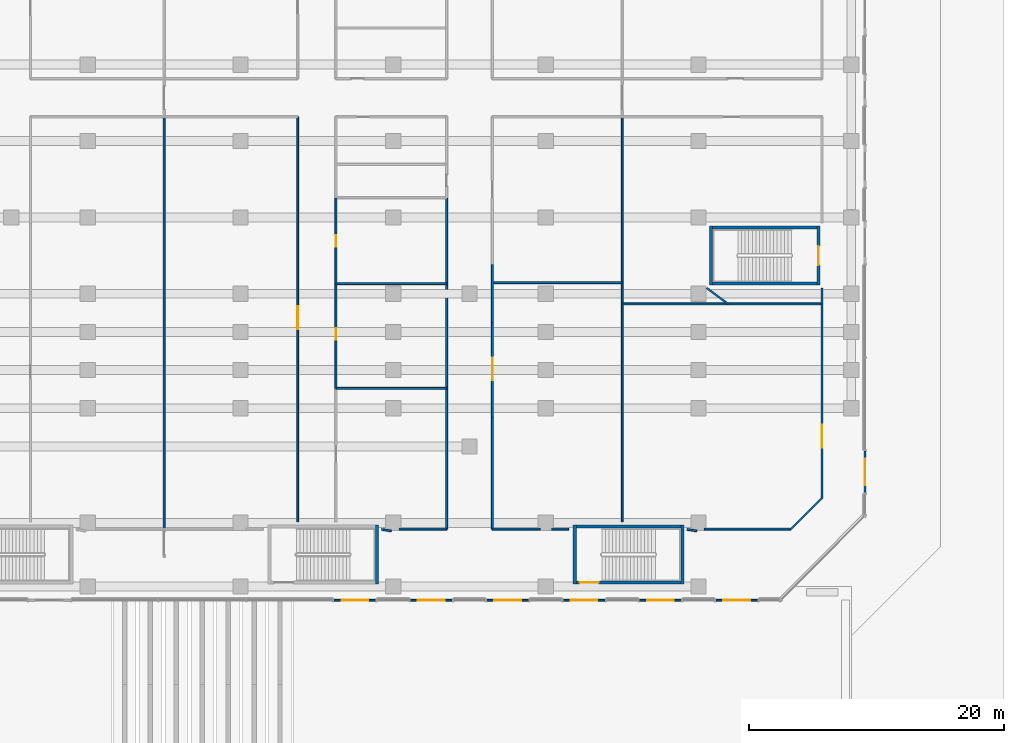
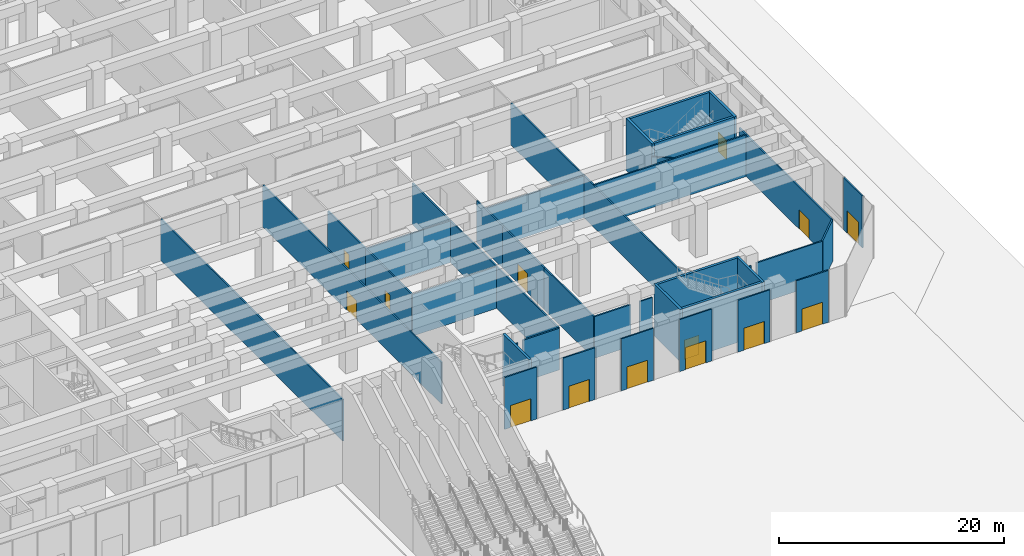
# One storey, part 19 of 32: 39 walls, 14 doors, 14 openings.
"""IFC4 building model written with IfcOpenShell, lengths in metres."""

from ifc_helpers import new_model, si_unit, direction, frame, frame_2d, origin, place, context, subcontext, project, spatial, rectangle, extrude, material, layer, layer_set, type_object, element, fill, save


model = new_model("IFC4")

# Units and contexts
model_context = context("Model", 3, precision=1e-05, world=origin(), true_north=direction((0.0, 1.0)))
body_context = subcontext(model_context, "Body", "Model", "MODEL_VIEW")
ifc_project = project(units=[si_unit("LENGTHUNIT", "METRE"), si_unit("AREAUNIT", "SQUARE_METRE"), si_unit("VOLUMEUNIT", "CUBIC_METRE"), si_unit("PLANEANGLEUNIT", "RADIAN"), si_unit("MASSUNIT", "GRAM", prefix="KILO")], contexts=[model_context])

# Site, building, storey
site_placement = place(None, origin())
site = spatial("IfcSite", under=ifc_project, at=site_placement, CompositionType="ELEMENT")
building_placement = place(site_placement, origin())
building = spatial("IfcBuilding", under=site, at=building_placement, Name="Welwitschia Terrace Campus", CompositionType="ELEMENT")
storey_placement = place(building_placement, origin())
storey = spatial("IfcBuildingStorey", under=building, at=storey_placement, Name="L00", CompositionType="ELEMENT", Elevation=0.0)

# Wall, opening, door
ifc_material_1 = material(Name="Concrete C40/50", Category="concrete")
ifc_layer_1 = layer(ifc_material_1, 0.139892578125)
ifc_layer_set_1 = layer_set([ifc_layer_1], Name="Concrete C40/50")
wall_type_1 = type_object("IfcWallType", Name="Clad wall 140", PredefinedType="SOLIDWALL", material=ifc_layer_set_1)
wall_1_placement = place(storey_placement, frame((55.35009765625, -10.0849609375, 0.0), z_axis=(0.0, 0.0, 1.0), x_axis=(1.0, 0.0, 0.0)))
wall_1 = element("IfcWall", 1, at=wall_1_placement, inside=storey, type_object=wall_type_1, Name="Clad wall L00.entrance S7", PredefinedType="SOLIDWALL", context=body_context, shape_type="SweptSolid", body=[
    extrude(rectangle(XDim=3.2998046875, YDim=0.139892578125, at=frame_2d((1.64990234375, 0.0))), origin(), (0.0, 0.0, 1.0), 5.64990234375),
])
opening_1_placement = place(wall_1_placement, frame((0.60009765625, 0.0, 0.0)))
opening_1 = element("IfcOpeningElement", 2, at=opening_1_placement, cuts=wall_1, Name="Opening DE1", PredefinedType="OPENING", context=body_context, shape_type="SweptSolid", body=[
    extrude(rectangle(XDim=2.10009765625, YDim=2.39990234375, at=frame_2d((1.050048828125, 1.199951171875))), frame((0.0, 0.079833984375, 0.0), z_axis=(0.0, -1.0, 0.0), x_axis=(1.0, 0.0, 0.0)), (0.0, 0.0, 1.0), 0.159912109375),
])
ifc_material_2 = material(Name="Bronze anodised aluminium and glass", Category="aluminium")
door_type_1 = type_object("IfcDoorType", Name="Entrance door 2100x2400", OperationType="DOUBLE_DOOR_DOUBLE_SWING", PredefinedType="DOOR", material=ifc_material_2)
door_1_placement = place(opening_1_placement, origin())
door_1 = element("IfcDoor", 3, at=door_1_placement, inside=storey, type_object=door_type_1, Name="Entrance door S7", OperationType="DOUBLE_DOOR_DOUBLE_SWING", OverallHeight=2.39990234375, OverallWidth=2.10009765625, PredefinedType="DOOR", context=body_context, shape_type="SweptSolid", body=[
    extrude(rectangle(XDim=2.10009765625, YDim=2.39990234375, at=frame_2d((1.050048828125, 1.199951171875))), frame((0.0, 0.02490234375, 0.0), z_axis=(0.0, -1.0, 0.0), x_axis=(1.0, 0.0, 0.0)), (0.0, 0.0, 1.0), 0.050048828125),
])
fill(opening_1, door_1)

wall_2_placement = place(storey_placement, frame((61.35009765625, -10.0849609375, 0.0), z_axis=(0.0, 0.0, 1.0), x_axis=(1.0, 0.0, 0.0)))
wall_2 = element("IfcWall", 4, at=wall_2_placement, inside=storey, type_object=wall_type_1, Name="Clad wall L00.entrance S8", PredefinedType="SOLIDWALL", context=body_context, shape_type="SweptSolid", body=[
    extrude(rectangle(XDim=3.2998046875, YDim=0.139892578125, at=frame_2d((1.64990234375, 0.0))), origin(), (0.0, 0.0, 1.0), 5.64990234375),
])
opening_2_placement = place(wall_2_placement, frame((0.60009765625, 0.0, 0.0)))
opening_2 = element("IfcOpeningElement", 5, at=opening_2_placement, cuts=wall_2, Name="Opening DE1", PredefinedType="OPENING", context=body_context, shape_type="SweptSolid", body=[
    extrude(rectangle(XDim=2.10009765625, YDim=2.39990234375, at=frame_2d((1.050048828125, 1.199951171875))), frame((0.0, 0.079833984375, 0.0), z_axis=(0.0, -1.0, 0.0), x_axis=(1.0, 0.0, 0.0)), (0.0, 0.0, 1.0), 0.159912109375),
])
door_2_placement = place(opening_2_placement, origin())
door_2 = element("IfcDoor", 6, at=door_2_placement, inside=storey, type_object=door_type_1, Name="Entrance door S8", OperationType="DOUBLE_DOOR_DOUBLE_SWING", OverallHeight=2.39990234375, OverallWidth=2.10009765625, PredefinedType="DOOR", context=body_context, shape_type="SweptSolid", body=[
    extrude(rectangle(XDim=2.10009765625, YDim=2.39990234375, at=frame_2d((1.050048828125, 1.199951171875))), frame((0.0, 0.02490234375, 0.0), z_axis=(0.0, -1.0, 0.0), x_axis=(1.0, 0.0, 0.0)), (0.0, 0.0, 1.0), 0.050048828125),
])
fill(opening_2, door_2)

wall_3_placement = place(storey_placement, frame((67.35009765625, -10.0849609375, 0.0), z_axis=(0.0, 0.0, 1.0), x_axis=(1.0, 0.0, 0.0)))
wall_3 = element("IfcWall", 7, at=wall_3_placement, inside=storey, type_object=wall_type_1, Name="Clad wall L00.entrance S9", PredefinedType="SOLIDWALL", context=body_context, shape_type="SweptSolid", body=[
    extrude(rectangle(XDim=3.2998046875, YDim=0.139892578125, at=frame_2d((1.64990234375, 0.0))), origin(), (0.0, 0.0, 1.0), 5.64990234375),
])
opening_3_placement = place(wall_3_placement, frame((0.60009765625, 0.0, 0.0)))
opening_3 = element("IfcOpeningElement", 8, at=opening_3_placement, cuts=wall_3, Name="Opening DE1", PredefinedType="OPENING", context=body_context, shape_type="SweptSolid", body=[
    extrude(rectangle(XDim=2.10009765625, YDim=2.39990234375, at=frame_2d((1.050048828125, 1.199951171875))), frame((0.0, 0.079833984375, 0.0), z_axis=(0.0, -1.0, 0.0), x_axis=(1.0, 0.0, 0.0)), (0.0, 0.0, 1.0), 0.159912109375),
])
door_3_placement = place(opening_3_placement, origin())
door_3 = element("IfcDoor", 9, at=door_3_placement, inside=storey, type_object=door_type_1, Name="Entrance door S9", OperationType="DOUBLE_DOOR_DOUBLE_SWING", OverallHeight=2.39990234375, OverallWidth=2.10009765625, PredefinedType="DOOR", context=body_context, shape_type="SweptSolid", body=[
    extrude(rectangle(XDim=2.10009765625, YDim=2.39990234375, at=frame_2d((1.050048828125, 1.199951171875))), frame((0.0, 0.02490234375, 0.0), z_axis=(0.0, -1.0, 0.0), x_axis=(1.0, 0.0, 0.0)), (0.0, 0.0, 1.0), 0.050048828125),
])
fill(opening_3, door_3)

wall_4_placement = place(storey_placement, frame((73.35009765625, -10.0849609375, 0.0), z_axis=(0.0, 0.0, 1.0), x_axis=(1.0, 0.0, 0.0)))
wall_4 = element("IfcWall", 10, at=wall_4_placement, inside=storey, type_object=wall_type_1, Name="Clad wall L00.entrance S10", PredefinedType="SOLIDWALL", context=body_context, shape_type="SweptSolid", body=[
    extrude(rectangle(XDim=3.2998046875, YDim=0.139892578125, at=frame_2d((1.64990234375, 0.0))), origin(), (0.0, 0.0, 1.0), 5.64990234375),
])
opening_4_placement = place(wall_4_placement, frame((0.60009765625, 0.0, 0.0)))
opening_4 = element("IfcOpeningElement", 11, at=opening_4_placement, cuts=wall_4, Name="Opening DE1", PredefinedType="OPENING", context=body_context, shape_type="SweptSolid", body=[
    extrude(rectangle(XDim=2.10009765625, YDim=2.39990234375, at=frame_2d((1.050048828125, 1.199951171875))), frame((0.0, 0.079833984375, 0.0), z_axis=(0.0, -1.0, 0.0), x_axis=(1.0, 0.0, 0.0)), (0.0, 0.0, 1.0), 0.159912109375),
])
door_4_placement = place(opening_4_placement, origin())
door_4 = element("IfcDoor", 12, at=door_4_placement, inside=storey, type_object=door_type_1, Name="Entrance door S10", OperationType="DOUBLE_DOOR_DOUBLE_SWING", OverallHeight=2.39990234375, OverallWidth=2.10009765625, PredefinedType="DOOR", context=body_context, shape_type="SweptSolid", body=[
    extrude(rectangle(XDim=2.10009765625, YDim=2.39990234375, at=frame_2d((1.050048828125, 1.199951171875))), frame((0.0, 0.02490234375, 0.0), z_axis=(0.0, -1.0, 0.0), x_axis=(1.0, 0.0, 0.0)), (0.0, 0.0, 1.0), 0.050048828125),
])
fill(opening_4, door_4)

wall_5_placement = place(storey_placement, frame((79.35009765625, -10.0849609375, 0.0), z_axis=(0.0, 0.0, 1.0), x_axis=(1.0, 0.0, 0.0)))
wall_5 = element("IfcWall", 13, at=wall_5_placement, inside=storey, type_object=wall_type_1, Name="Clad wall L00.entrance S11", PredefinedType="SOLIDWALL", context=body_context, shape_type="SweptSolid", body=[
    extrude(rectangle(XDim=3.2998046875, YDim=0.139892578125, at=frame_2d((1.64990234375, 0.0))), origin(), (0.0, 0.0, 1.0), 5.64990234375),
])
opening_5_placement = place(wall_5_placement, frame((0.60009765625, 0.0, 0.0)))
opening_5 = element("IfcOpeningElement", 14, at=opening_5_placement, cuts=wall_5, Name="Opening DE1", PredefinedType="OPENING", context=body_context, shape_type="SweptSolid", body=[
    extrude(rectangle(XDim=2.10009765625, YDim=2.39990234375, at=frame_2d((1.050048828125, 1.199951171875))), frame((0.0, 0.079833984375, 0.0), z_axis=(0.0, -1.0, 0.0), x_axis=(1.0, 0.0, 0.0)), (0.0, 0.0, 1.0), 0.159912109375),
])
door_5_placement = place(opening_5_placement, origin())
door_5 = element("IfcDoor", 15, at=door_5_placement, inside=storey, type_object=door_type_1, Name="Entrance door S11", OperationType="DOUBLE_DOOR_DOUBLE_SWING", OverallHeight=2.39990234375, OverallWidth=2.10009765625, PredefinedType="DOOR", context=body_context, shape_type="SweptSolid", body=[
    extrude(rectangle(XDim=2.10009765625, YDim=2.39990234375, at=frame_2d((1.050048828125, 1.199951171875))), frame((0.0, 0.02490234375, 0.0), z_axis=(0.0, -1.0, 0.0), x_axis=(1.0, 0.0, 0.0)), (0.0, 0.0, 1.0), 0.050048828125),
])
fill(opening_5, door_5)

wall_6_placement = place(storey_placement, frame((85.35009765625, -10.0849609375, 0.0), z_axis=(0.0, 0.0, 1.0), x_axis=(1.0, 0.0, 0.0)))
wall_6 = element("IfcWall", 16, at=wall_6_placement, inside=storey, type_object=wall_type_1, Name="Clad wall L00.entrance S12", PredefinedType="SOLIDWALL", context=body_context, shape_type="SweptSolid", body=[
    extrude(rectangle(XDim=3.2998046875, YDim=0.139892578125, at=frame_2d((1.64990234375, 0.0))), origin(), (0.0, 0.0, 1.0), 5.64990234375),
])
opening_6_placement = place(wall_6_placement, frame((0.60009765625, 0.0, 0.0)))
opening_6 = element("IfcOpeningElement", 17, at=opening_6_placement, cuts=wall_6, Name="Opening DE1", PredefinedType="OPENING", context=body_context, shape_type="SweptSolid", body=[
    extrude(rectangle(XDim=2.10009765625, YDim=2.39990234375, at=frame_2d((1.050048828125, 1.199951171875))), frame((0.0, 0.079833984375, 0.0), z_axis=(0.0, -1.0, 0.0), x_axis=(1.0, 0.0, 0.0)), (0.0, 0.0, 1.0), 0.159912109375),
])
door_6_placement = place(opening_6_placement, origin())
door_6 = element("IfcDoor", 18, at=door_6_placement, inside=storey, type_object=door_type_1, Name="Entrance door S12", OperationType="DOUBLE_DOOR_DOUBLE_SWING", OverallHeight=2.39990234375, OverallWidth=2.10009765625, PredefinedType="DOOR", context=body_context, shape_type="SweptSolid", body=[
    extrude(rectangle(XDim=2.10009765625, YDim=2.39990234375, at=frame_2d((1.050048828125, 1.199951171875))), frame((0.0, 0.02490234375, 0.0), z_axis=(0.0, -1.0, 0.0), x_axis=(1.0, 0.0, 0.0)), (0.0, 0.0, 1.0), 0.050048828125),
])
fill(opening_6, door_6)

wall_7_placement = place(storey_placement, frame((97.0849609375, -1.64990234375, 0.0), z_axis=(0.0, 0.0, 1.0), x_axis=(0.0, 1.0, 0.0)))
wall_7 = element("IfcWall", 19, at=wall_7_placement, inside=storey, type_object=wall_type_1, Name="Clad wall L00.entrance E1", PredefinedType="SOLIDWALL", context=body_context, shape_type="SweptSolid", body=[
    extrude(rectangle(XDim=3.2998046875, YDim=0.139892578125, at=frame_2d((1.64990234375, 0.0))), origin(), (0.0, 0.0, 1.0), 5.64990234375),
])
opening_7_placement = place(wall_7_placement, frame((0.60009765625, 0.0, 0.0)))
opening_7 = element("IfcOpeningElement", 20, at=opening_7_placement, cuts=wall_7, Name="Opening DE1", PredefinedType="OPENING", context=body_context, shape_type="SweptSolid", body=[
    extrude(rectangle(XDim=2.10009765625, YDim=2.39990234375, at=frame_2d((1.050048828125, 1.199951171875))), frame((0.0, 0.079833984375, 0.0), z_axis=(0.0, -1.0, 0.0), x_axis=(1.0, 0.0, 0.0)), (0.0, 0.0, 1.0), 0.159912109375),
])
door_7_placement = place(opening_7_placement, origin())
door_7 = element("IfcDoor", 21, at=door_7_placement, inside=storey, type_object=door_type_1, Name="Entrance door E1", OperationType="DOUBLE_DOOR_DOUBLE_SWING", OverallHeight=2.39990234375, OverallWidth=2.10009765625, PredefinedType="DOOR", context=body_context, shape_type="SweptSolid", body=[
    extrude(rectangle(XDim=2.10009765625, YDim=2.39990234375, at=frame_2d((1.050048828125, 1.199951171875))), frame((0.0, 0.02490234375, 0.0), z_axis=(0.0, -1.0, 0.0), x_axis=(1.0, 0.0, 0.0)), (0.0, 0.0, 1.0), 0.050048828125),
])
fill(opening_7, door_7)

# Walls
ifc_material_3 = material(Name="Concrete C50/60", Category="concrete")
ifc_layer_2 = layer(ifc_material_3, 0.25)
ifc_layer_set_2 = layer_set([ifc_layer_2], Name="Concrete C50/60")
wall_type_2 = type_object("IfcWallType", Name="Core wall 250 Concrete C50/60", PredefinedType="SHEAR", material=ifc_layer_set_2)
for number, where, z_axis, x_axis, name in (
    (22, (58.72509765625, -8.824951171875, 0.0), (0.0, 0.0, 1.0), (0.0, 1.0, 0.0), "Core wall"),
    (23, (74.27490234375, -8.824951171875, 0.0), (0.0, 0.0, 1.0), (0.0, 1.0, 0.0), "Core wall"),
    (24, (82.72509765625, -8.824951171875, 0.0), (0.0, 0.0, 1.0), (0.0, 1.0, 0.0), "Core wall"),
):
    element("IfcWall", number, at=place(storey_placement, frame(where, z_axis=z_axis, x_axis=x_axis)), inside=storey, type_object=wall_type_2, Name=name, PredefinedType="SHEAR", context=body_context, shape_type="SweptSolid", body=[
        extrude(rectangle(XDim=4.64990234375, YDim=0.25, at=frame_2d((2.324951171875, 0.0))), origin(), (0.0, 0.0, 1.0), 5.64990234375),
    ])

# Wall, opening, door
wall_8_placement = place(storey_placement, frame((82.60009765625, -8.699951171875, 0.0), z_axis=(0.0, 0.0, 1.0), x_axis=(-1.0, 0.0, 0.0)))
wall_8 = element("IfcWall", 25, at=wall_8_placement, inside=storey, type_object=wall_type_2, Name="Core wall", PredefinedType="SHEAR", context=body_context, shape_type="SweptSolid", body=[
    extrude(rectangle(XDim=8.2001953125, YDim=0.25, at=frame_2d((4.10009765625, 0.0))), origin(), (0.0, 0.0, 1.0), 5.64990234375),
])
opening_8_placement = place(wall_8_placement, frame((6.449951171875, 0.0, 0.0)))
opening_8 = element("IfcOpeningElement", 26, at=opening_8_placement, cuts=wall_8, Name="Opening DS15", PredefinedType="OPENING", context=body_context, shape_type="SweptSolid", body=[
    extrude(rectangle(XDim=1.5, YDim=2.10009765625, at=frame_2d((0.75, 1.050048828125))), frame((0.0, 0.135009765625, 0.0), z_axis=(0.0, -1.0, 0.0), x_axis=(1.0, 0.0, 0.0)), (0.0, 0.0, 1.0), 0.27001953125),
])
ifc_material_4 = material(Name="Steel S275", Category="steel")
door_type_2 = type_object("IfcDoorType", Name="Core door DS15", OperationType="DOUBLE_DOOR_SINGLE_SWING", PredefinedType="DOOR", material=ifc_material_4)
door_8_placement = place(opening_8_placement, origin())
door_8 = element("IfcDoor", 27, at=door_8_placement, inside=storey, type_object=door_type_2, Name="Door P5", OperationType="DOUBLE_DOOR_SINGLE_SWING", OverallHeight=2.10009765625, OverallWidth=1.5, PredefinedType="DOOR", context=body_context, shape_type="SweptSolid", body=[
    extrude(rectangle(XDim=1.5, YDim=2.10009765625, at=frame_2d((0.75, 1.050048828125))), frame((0.0, 0.02490234375, 0.0), z_axis=(0.0, -1.0, 0.0), x_axis=(1.0, 0.0, 0.0)), (0.0, 0.0, 1.0), 0.050048828125),
])
fill(opening_8, door_8)

# Walls
wall_9_placement = place(storey_placement, frame((74.39990234375, -4.300048828125, 0.0), z_axis=(0.0, 0.0, 1.0), x_axis=(1.0, 0.0, 0.0)))
element("IfcWall", 28, at=wall_9_placement, inside=storey, type_object=wall_type_2, Name="Core wall", PredefinedType="SHEAR", context=body_context, shape_type="SweptSolid", body=[
    extrude(rectangle(XDim=8.2001953125, YDim=0.25, at=frame_2d((4.10009765625, 0.0))), origin(), (0.0, 0.0, 1.0), 5.64990234375),
])
wall_10_placement = place(storey_placement, frame((84.97509765625, 14.675048828125, 0.0), z_axis=(0.0, 0.0, 1.0), x_axis=(0.0, 1.0, 0.0)))
element("IfcWall", 29, at=wall_10_placement, inside=storey, type_object=wall_type_2, Name="Core wall", PredefinedType="SHEAR", context=body_context, shape_type="SweptSolid", body=[
    extrude(rectangle(XDim=4.64990234375, YDim=0.25, at=frame_2d((2.324951171875, 0.0))), origin(), (0.0, 0.0, 1.0), 5.64990234375),
])

# Wall, opening, door
wall_11_placement = place(storey_placement, frame((93.425048828125, 19.324951171875, 0.0), z_axis=(0.0, 0.0, 1.0), x_axis=(0.0, -1.0, 0.0)))
wall_11 = element("IfcWall", 30, at=wall_11_placement, inside=storey, type_object=wall_type_2, Name="Core wall", PredefinedType="SHEAR", context=body_context, shape_type="SweptSolid", body=[
    extrude(rectangle(XDim=4.64990234375, YDim=0.25, at=frame_2d((2.324951171875, 0.0))), origin(), (0.0, 0.0, 1.0), 5.64990234375),
])
opening_9_placement = place(wall_11_placement, frame((1.574951171875, 0.0, 0.0)))
opening_9 = element("IfcOpeningElement", 31, at=opening_9_placement, cuts=wall_11, Name="Opening DS15", PredefinedType="OPENING", context=body_context, shape_type="SweptSolid", body=[
    extrude(rectangle(XDim=1.5, YDim=2.10009765625, at=frame_2d((0.75, 1.050048828125))), frame((0.0, 0.135009765625, 0.0), z_axis=(0.0, -1.0, 0.0), x_axis=(1.0, 0.0, 0.0)), (0.0, 0.0, 1.0), 0.27001953125),
])
door_9_placement = place(opening_9_placement, origin())
door_9 = element("IfcDoor", 32, at=door_9_placement, inside=storey, type_object=door_type_2, Name="Door P6", OperationType="DOUBLE_DOOR_SINGLE_SWING", OverallHeight=2.10009765625, OverallWidth=1.5, PredefinedType="DOOR", context=body_context, shape_type="SweptSolid", body=[
    extrude(rectangle(XDim=1.5, YDim=2.10009765625, at=frame_2d((0.75, 1.050048828125))), frame((0.0, 0.02490234375, 0.0), z_axis=(0.0, -1.0, 0.0), x_axis=(1.0, 0.0, 0.0)), (0.0, 0.0, 1.0), 0.050048828125),
])
fill(opening_9, door_9)

# Walls
for number, where, z_axis, x_axis, name in (
    (33, (85.10009765625, 14.800048828125, 0.0), (0.0, 0.0, 1.0), (1.0, 0.0, 0.0), "Core wall"),
    (34, (85.10009765625, 19.199951171875, 0.0), (0.0, 0.0, 1.0), (1.0, 0.0, 0.0), "Core wall"),
):
    element("IfcWall", number, at=place(storey_placement, frame(where, z_axis=z_axis, x_axis=x_axis)), inside=storey, type_object=wall_type_2, Name=name, PredefinedType="SHEAR", context=body_context, shape_type="SweptSolid", body=[
        extrude(rectangle(XDim=8.199951171875, YDim=0.25, at=frame_2d((4.10009765625, 0.0))), origin(), (0.0, 0.0, 1.0), 5.64990234375),
    ])
ifc_material_5 = material(Name="Gypsum board on steel studs", Category="steel")
ifc_layer_3 = layer(ifc_material_5, 0.14990234375)
ifc_layer_set_3 = layer_set([ifc_layer_3], Name="Gypsum board on steel studs")
wall_type_3 = type_object("IfcWallType", Name="Corridor partition 150 EI 30", PredefinedType="PARTITIONING", material=ifc_layer_set_3)
wall_12_placement = place(storey_placement, frame((42.0, -4.5, 0.0), z_axis=(0.0, 0.0, 1.0), x_axis=(0.0, 1.0, 0.0)))
element("IfcWall", 35, at=wall_12_placement, inside=storey, type_object=wall_type_3, Name="Partition", PredefinedType="PARTITIONING", context=body_context, shape_type="SweptSolid", body=[
    extrude(rectangle(XDim=32.39990234375, YDim=0.14990234375, at=frame_2d((16.199951171875, 0.0))), origin(), (0.0, 0.0, 1.0), 4.530029296875),
])

# Wall, opening, door
wall_13_placement = place(storey_placement, frame((52.5, 27.89990234375, 0.0), z_axis=(0.0, 0.0, 1.0), x_axis=(0.0, -1.0, 0.0)))
wall_13 = element("IfcWall", 36, at=wall_13_placement, inside=storey, type_object=wall_type_3, Name="Partition", PredefinedType="PARTITIONING", context=body_context, shape_type="SweptSolid", body=[
    extrude(rectangle(XDim=31.81982421875, YDim=0.14990234375, at=frame_2d((15.909912109375, 0.0))), origin(), (0.0, 0.0, 1.0), 4.530029296875),
])
opening_10_placement = place(wall_13_placement, frame((14.89990234375, 0.0, 0.0)))
opening_10 = element("IfcOpeningElement", 37, at=opening_10_placement, cuts=wall_13, Name="Opening DI18", PredefinedType="OPENING", context=body_context, shape_type="SweptSolid", body=[
    extrude(rectangle(XDim=1.800048828125, YDim=2.10009765625, at=frame_2d((0.89990234375, 1.050048828125))), frame((0.0, 0.0849609375, 0.0), z_axis=(0.0, -1.0, 0.0), x_axis=(1.0, 0.0, 0.0)), (0.0, 0.0, 1.0), 0.169921875),
])
ifc_material_6 = material(Name="Timber veneered door", Category="wood")
door_type_3 = type_object("IfcDoorType", Name="Interior door DI18", OperationType="DOUBLE_DOOR_SINGLE_SWING", PredefinedType="DOOR", material=ifc_material_6)
door_10_placement = place(opening_10_placement, origin())
door_10 = element("IfcDoor", 38, at=door_10_placement, inside=storey, type_object=door_type_3, Name="Door L00 033", OperationType="SINGLE_SWING_LEFT", OverallHeight=2.10009765625, OverallWidth=1.800048828125, PredefinedType="DOOR", context=body_context, shape_type="SweptSolid", body=[
    extrude(rectangle(XDim=1.800048828125, YDim=2.10009765625, at=frame_2d((0.89990234375, 1.050048828125))), frame((0.0, 0.02490234375, 0.0), z_axis=(0.0, -1.0, 0.0), x_axis=(1.0, 0.0, 0.0)), (0.0, 0.0, 1.0), 0.050048828125),
])
fill(opening_10, door_10)

# Wall
wall_14_placement = place(storey_placement, frame((55.5, 6.570068359375, 0.0), z_axis=(0.0, 0.0, 1.0), x_axis=(1.0, 0.0, 0.0)))
element("IfcWall", 39, at=wall_14_placement, inside=storey, type_object=wall_type_3, Name="Partition", PredefinedType="PARTITIONING", context=body_context, shape_type="SweptSolid", body=[
    extrude(rectangle(XDim=8.699951171875, YDim=0.14990234375, at=frame_2d((4.35009765625, 0.0))), origin(), (0.0, 0.0, 1.0), 4.530029296875),
])

# Wall, opening, door
wall_15_placement = place(storey_placement, frame((55.5, 14.800048828125, 0.0), z_axis=(0.0, 0.0, 1.0), x_axis=(0.0, -1.0, 0.0)))
wall_15 = element("IfcWall", 40, at=wall_15_placement, inside=storey, type_object=wall_type_3, Name="Partition", PredefinedType="PARTITIONING", context=body_context, shape_type="SweptSolid", body=[
    extrude(rectangle(XDim=8.22998046875, YDim=0.14990234375, at=frame_2d((4.114990234375, 0.0))), origin(), (0.0, 0.0, 1.0), 4.530029296875),
])
opening_11_placement = place(wall_15_placement, frame((3.530029296875, 0.0, 0.0)))
opening_11 = element("IfcOpeningElement", 41, at=opening_11_placement, cuts=wall_15, Name="Opening DI09", PredefinedType="OPENING", context=body_context, shape_type="SweptSolid", body=[
    extrude(rectangle(XDim=0.89990234375, YDim=2.10009765625, at=frame_2d((0.449951171875, 1.050048828125))), frame((0.0, 0.0849609375, 0.0), z_axis=(0.0, -1.0, 0.0), x_axis=(1.0, 0.0, 0.0)), (0.0, 0.0, 1.0), 0.169921875),
])
ifc_material_7 = material(Name="Timber veneered door", Category="wood")
door_type_4 = type_object("IfcDoorType", Name="Interior door DI09", OperationType="NOTDEFINED", PredefinedType="DOOR", material=ifc_material_7)
door_11_placement = place(opening_11_placement, origin())
door_11 = element("IfcDoor", 42, at=door_11_placement, inside=storey, type_object=door_type_4, Name="Door L00 038", OperationType="SINGLE_SWING_LEFT", OverallHeight=2.10009765625, OverallWidth=0.89990234375, PredefinedType="DOOR", context=body_context, shape_type="SweptSolid", body=[
    extrude(rectangle(XDim=0.89990234375, YDim=2.10009765625, at=frame_2d((0.449951171875, 1.050048828125))), frame((0.0, 0.02490234375, 0.0), z_axis=(0.0, -1.0, 0.0), x_axis=(1.0, 0.0, 0.0)), (0.0, 0.0, 1.0), 0.050048828125),
])
fill(opening_11, door_11)

# Wall
wall_16_placement = place(storey_placement, frame((55.5, 14.800048828125, 0.0), z_axis=(0.0, 0.0, 1.0), x_axis=(1.0, 0.0, 0.0)))
element("IfcWall", 43, at=wall_16_placement, inside=storey, type_object=wall_type_3, Name="Partition", PredefinedType="PARTITIONING", context=body_context, shape_type="SweptSolid", body=[
    extrude(rectangle(XDim=8.699951171875, YDim=0.14990234375, at=frame_2d((4.35009765625, 0.0))), origin(), (0.0, 0.0, 1.0), 4.530029296875),
])

# Wall, opening, door
wall_17_placement = place(storey_placement, frame((55.5, 21.5400390625, 0.0), z_axis=(0.0, 0.0, 1.0), x_axis=(0.0, -1.0, 0.0)))
wall_17 = element("IfcWall", 44, at=wall_17_placement, inside=storey, type_object=wall_type_3, Name="Partition", PredefinedType="PARTITIONING", context=body_context, shape_type="SweptSolid", body=[
    extrude(rectangle(XDim=6.739990234375, YDim=0.14990234375, at=frame_2d((3.3701171875, 0.0))), origin(), (0.0, 0.0, 1.0), 4.530029296875),
])
opening_12_placement = place(wall_17_placement, frame((2.93994140625, 0.0, 0.0)))
opening_12 = element("IfcOpeningElement", 45, at=opening_12_placement, cuts=wall_17, Name="Opening DI09", PredefinedType="OPENING", context=body_context, shape_type="SweptSolid", body=[
    extrude(rectangle(XDim=0.89990234375, YDim=2.10009765625, at=frame_2d((0.449951171875, 1.050048828125))), frame((0.0, 0.0849609375, 0.0), z_axis=(0.0, -1.0, 0.0), x_axis=(1.0, 0.0, 0.0)), (0.0, 0.0, 1.0), 0.169921875),
])
door_12_placement = place(opening_12_placement, origin())
door_12 = element("IfcDoor", 46, at=door_12_placement, inside=storey, type_object=door_type_4, Name="Door L00 039", OperationType="SINGLE_SWING_RIGHT", OverallHeight=2.10009765625, OverallWidth=0.89990234375, PredefinedType="DOOR", context=body_context, shape_type="SweptSolid", body=[
    extrude(rectangle(XDim=0.89990234375, YDim=2.10009765625, at=frame_2d((0.449951171875, 1.050048828125))), frame((0.0, 0.02490234375, 0.0), z_axis=(0.0, -1.0, 0.0), x_axis=(1.0, 0.0, 0.0)), (0.0, 0.0, 1.0), 0.050048828125),
])
fill(opening_12, door_12)

# Walls
wall_18_placement = place(storey_placement, frame((59.10009765625, -4.52001953125, 0.0), z_axis=(0.0, 0.0, 1.0), x_axis=(0.988098486873, -0.153822560892, 0.0)))
element("IfcWall", 47, at=wall_18_placement, inside=storey, type_object=wall_type_3, Name="Partition", PredefinedType="PARTITIONING", context=body_context, shape_type="SweptSolid", body=[
    extrude(rectangle(XDim=0.779296875, YDim=0.14990234375, at=frame_2d((0.3896484375, 0.0))), origin(), (0.0, 0.0, 1.0), 4.530029296875),
])
wall_19_placement = place(storey_placement, frame((60.4599609375, -4.5, 0.0), z_axis=(0.0, 0.0, 1.0), x_axis=(1.0, 0.0, 0.0)))
element("IfcWall", 48, at=wall_19_placement, inside=storey, type_object=wall_type_3, Name="Partition", PredefinedType="PARTITIONING", context=body_context, shape_type="SweptSolid", body=[
    extrude(rectangle(XDim=3.739990234375, YDim=0.14990234375, at=frame_2d((1.8701171875, 0.0))), origin(), (0.0, 0.0, 1.0), 4.530029296875),
])
wall_20_placement = place(storey_placement, frame((64.199951171875, -4.5, 0.0), z_axis=(0.0, 0.0, 1.0), x_axis=(0.0, 1.0, 0.0)))
element("IfcWall", 49, at=wall_20_placement, inside=storey, type_object=wall_type_3, Name="Partition", PredefinedType="PARTITIONING", context=body_context, shape_type="SweptSolid", body=[
    extrude(rectangle(XDim=26.0400390625, YDim=0.14990234375, at=frame_2d((13.02001953125, 0.0))), origin(), (0.0, 0.0, 1.0), 4.530029296875),
])
wall_21_placement = place(storey_placement, frame((67.800048828125, -4.5, 0.0), z_axis=(0.0, 0.0, 1.0), x_axis=(0.0, 1.0, 0.0)))
element("IfcWall", 50, at=wall_21_placement, inside=storey, type_object=wall_type_3, Name="Partition", PredefinedType="PARTITIONING", context=body_context, shape_type="SweptSolid", body=[
    extrude(rectangle(XDim=8.7900390625, YDim=0.14990234375, at=frame_2d((4.39501953125, 0.0))), origin(), (0.0, 0.0, 1.0), 4.530029296875),
])
wall_22_placement = place(storey_placement, frame((67.800048828125, -4.5, 0.0), z_axis=(0.0, 0.0, 1.0), x_axis=(1.0, 0.0, 0.0)))
element("IfcWall", 51, at=wall_22_placement, inside=storey, type_object=wall_type_3, Name="Partition", PredefinedType="PARTITIONING", context=body_context, shape_type="SweptSolid", body=[
    extrude(rectangle(XDim=3.739990234375, YDim=0.14990234375, at=frame_2d((1.8701171875, 0.0))), origin(), (0.0, 0.0, 1.0), 4.530029296875),
])

# Wall, opening, door
wall_23_placement = place(storey_placement, frame((67.800048828125, 4.2900390625, 0.0), z_axis=(0.0, 0.0, 1.0), x_axis=(0.0, 1.0, 0.0)))
wall_23 = element("IfcWall", 52, at=wall_23_placement, inside=storey, type_object=wall_type_3, Name="Partition", PredefinedType="PARTITIONING", context=body_context, shape_type="SweptSolid", body=[
    extrude(rectangle(XDim=7.419921875, YDim=0.14990234375, at=frame_2d((3.7099609375, 0.0))), origin(), (0.0, 0.0, 1.0), 4.530029296875),
])
opening_13_placement = place(wall_23_placement, frame((2.89990234375, 0.0, 0.0)))
opening_13 = element("IfcOpeningElement", 53, at=opening_13_placement, cuts=wall_23, Name="Opening DI18", PredefinedType="OPENING", context=body_context, shape_type="SweptSolid", body=[
    extrude(rectangle(XDim=1.800048828125, YDim=2.10009765625, at=frame_2d((0.89990234375, 1.050048828125))), frame((0.0, 0.0849609375, 0.0), z_axis=(0.0, -1.0, 0.0), x_axis=(1.0, 0.0, 0.0)), (0.0, 0.0, 1.0), 0.169921875),
])
door_13_placement = place(opening_13_placement, origin())
door_13 = element("IfcDoor", 54, at=door_13_placement, inside=storey, type_object=door_type_3, Name="Door L00 047", OperationType="SINGLE_SWING_LEFT", OverallHeight=2.10009765625, OverallWidth=1.800048828125, PredefinedType="DOOR", context=body_context, shape_type="SweptSolid", body=[
    extrude(rectangle(XDim=1.800048828125, YDim=2.10009765625, at=frame_2d((0.89990234375, 1.050048828125))), frame((0.0, 0.02490234375, 0.0), z_axis=(0.0, -1.0, 0.0), x_axis=(1.0, 0.0, 0.0)), (0.0, 0.0, 1.0), 0.050048828125),
])
fill(opening_13, door_13)

# Walls
wall_24_placement = place(storey_placement, frame((67.800048828125, 11.7099609375, 0.0), z_axis=(0.0, 0.0, 1.0), x_axis=(0.0, 1.0, 0.0)))
element("IfcWall", 55, at=wall_24_placement, inside=storey, type_object=wall_type_3, Name="Partition", PredefinedType="PARTITIONING", context=body_context, shape_type="SweptSolid", body=[
    extrude(rectangle(XDim=4.580078125, YDim=0.14990234375, at=frame_2d((2.2900390625, 0.0))), origin(), (0.0, 0.0, 1.0), 4.530029296875),
])
wall_25_placement = place(storey_placement, frame((67.800048828125, 14.8798828125, 0.0), z_axis=(0.0, 0.0, 1.0), x_axis=(1.0, 0.0, 0.0)))
element("IfcWall", 56, at=wall_25_placement, inside=storey, type_object=wall_type_3, Name="Partition", PredefinedType="PARTITIONING", context=body_context, shape_type="SweptSolid", body=[
    extrude(rectangle(XDim=10.199951171875, YDim=0.14990234375, at=frame_2d((5.10009765625, 0.0))), origin(), (0.0, 0.0, 1.0), 4.530029296875),
])
wall_26_placement = place(storey_placement, frame((72.4599609375, -4.5, 0.0), z_axis=(0.0, 0.0, 1.0), x_axis=(1.0, 0.0, 0.0)))
element("IfcWall", 57, at=wall_26_placement, inside=storey, type_object=wall_type_3, Name="Partition", PredefinedType="PARTITIONING", context=body_context, shape_type="SweptSolid", body=[
    extrude(rectangle(XDim=1.320068359375, YDim=0.14990234375, at=frame_2d((0.66015625, 0.0))), origin(), (0.0, 0.0, 1.0), 4.530029296875),
])
wall_27_placement = place(storey_placement, frame((78.0, -3.919921875, 0.0), z_axis=(0.0, 0.0, 1.0), x_axis=(0.0, 1.0, 0.0)))
element("IfcWall", 58, at=wall_27_placement, inside=storey, type_object=wall_type_3, Name="Partition", PredefinedType="PARTITIONING", context=body_context, shape_type="SweptSolid", body=[
    extrude(rectangle(XDim=31.81982421875, YDim=0.14990234375, at=frame_2d((15.909912109375, 0.0))), origin(), (0.0, 0.0, 1.0), 4.530029296875),
])
wall_28_placement = place(storey_placement, frame((78.0, 13.199951171875, 0.0), z_axis=(0.0, 0.0, 1.0), x_axis=(1.0, 0.0, 0.0)))
element("IfcWall", 59, at=wall_28_placement, inside=storey, type_object=wall_type_3, Name="Partition", PredefinedType="PARTITIONING", context=body_context, shape_type="SweptSolid", body=[
    extrude(rectangle(XDim=15.699951171875, YDim=0.14990234375, at=frame_2d((7.85009765625, 0.0))), origin(), (0.0, 0.0, 1.0), 4.530029296875),
])
wall_29_placement = place(storey_placement, frame((83.10009765625, -4.52001953125, 0.0), z_axis=(0.0, 0.0, 1.0), x_axis=(0.988098486873, -0.153822560892, 0.0)))
element("IfcWall", 60, at=wall_29_placement, inside=storey, type_object=wall_type_3, Name="Partition", PredefinedType="PARTITIONING", context=body_context, shape_type="SweptSolid", body=[
    extrude(rectangle(XDim=0.779296875, YDim=0.14990234375, at=frame_2d((0.3896484375, 0.0))), origin(), (0.0, 0.0, 1.0), 4.530029296875),
])
wall_30_placement = place(storey_placement, frame((84.4599609375, -4.5, 0.0), z_axis=(0.0, 0.0, 1.0), x_axis=(1.0, 0.0, 0.0)))
element("IfcWall", 61, at=wall_30_placement, inside=storey, type_object=wall_type_3, Name="Partition", PredefinedType="PARTITIONING", context=body_context, shape_type="SweptSolid", body=[
    extrude(rectangle(XDim=6.7900390625, YDim=0.14990234375, at=frame_2d((3.39501953125, 0.0))), origin(), (0.0, 0.0, 1.0), 4.530029296875),
])
wall_31_placement = place(storey_placement, frame((84.639892578125, 14.449951171875, 0.0), z_axis=(0.0, 0.0, 1.0), x_axis=(0.802316318144, -0.596899091673, 0.0)))
element("IfcWall", 62, at=wall_31_placement, inside=storey, type_object=wall_type_3, Name="Partition", PredefinedType="PARTITIONING", context=body_context, shape_type="SweptSolid", body=[
    extrude(rectangle(XDim=2.09423828125, YDim=0.14990234375, at=frame_2d((1.047119140625, 0.0))), origin(), (0.0, 0.0, 1.0), 4.530029296875),
])
wall_32_placement = place(storey_placement, frame((91.25, -4.5, 0.0), z_axis=(0.0, 0.0, 1.0), x_axis=(0.707106781187, 0.707106781187, 0.0)))
element("IfcWall", 63, at=wall_32_placement, inside=storey, type_object=wall_type_3, Name="Partition", PredefinedType="PARTITIONING", context=body_context, shape_type="SweptSolid", body=[
    extrude(rectangle(XDim=3.46484375, YDim=0.14990234375, at=frame_2d((1.732421875, 0.0))), origin(), (0.0, 0.0, 1.0), 4.530029296875),
])

# Wall, opening, door
wall_33_placement = place(storey_placement, frame((93.699951171875, 13.199951171875, 0.0), z_axis=(0.0, 0.0, 1.0), x_axis=(0.0, -1.0, 0.0)))
wall_33 = element("IfcWall", 64, at=wall_33_placement, inside=storey, type_object=wall_type_3, Name="Partition", PredefinedType="PARTITIONING", context=body_context, shape_type="SweptSolid", body=[
    extrude(rectangle(XDim=15.25, YDim=0.14990234375, at=frame_2d((7.625, 0.0))), origin(), (0.0, 0.0, 1.0), 4.530029296875),
])
opening_14_placement = place(wall_33_placement, frame((9.5, 0.0, 0.0)))
opening_14 = element("IfcOpeningElement", 65, at=opening_14_placement, cuts=wall_33, Name="Opening DI18", PredefinedType="OPENING", context=body_context, shape_type="SweptSolid", body=[
    extrude(rectangle(XDim=1.800048828125, YDim=2.10009765625, at=frame_2d((0.89990234375, 1.050048828125))), frame((0.0, 0.0849609375, 0.0), z_axis=(0.0, -1.0, 0.0), x_axis=(1.0, 0.0, 0.0)), (0.0, 0.0, 1.0), 0.169921875),
])
door_14_placement = place(opening_14_placement, origin())
door_14 = element("IfcDoor", 66, at=door_14_placement, inside=storey, type_object=door_type_3, Name="Door L00 055", OperationType="SINGLE_SWING_LEFT", OverallHeight=2.10009765625, OverallWidth=1.800048828125, PredefinedType="DOOR", context=body_context, shape_type="SweptSolid", body=[
    extrude(rectangle(XDim=1.800048828125, YDim=2.10009765625, at=frame_2d((0.89990234375, 1.050048828125))), frame((0.0, 0.02490234375, 0.0), z_axis=(0.0, -1.0, 0.0), x_axis=(1.0, 0.0, 0.0)), (0.0, 0.0, 1.0), 0.050048828125),
])
fill(opening_14, door_14)

# Wall
wall_34_placement = place(storey_placement, frame((93.699951171875, 13.199951171875, 0.0), z_axis=(0.0, 0.0, 1.0), x_axis=(0.0, 1.0, 0.0)))
element("IfcWall", 67, at=wall_34_placement, inside=storey, type_object=wall_type_3, Name="Partition", PredefinedType="PARTITIONING", context=body_context, shape_type="SweptSolid", body=[
    extrude(rectangle(XDim=1.22998046875, YDim=0.14990234375, at=frame_2d((0.614990234375, 0.0))), origin(), (0.0, 0.0, 1.0), 4.530029296875),
])

save(model, "model.ifc")
